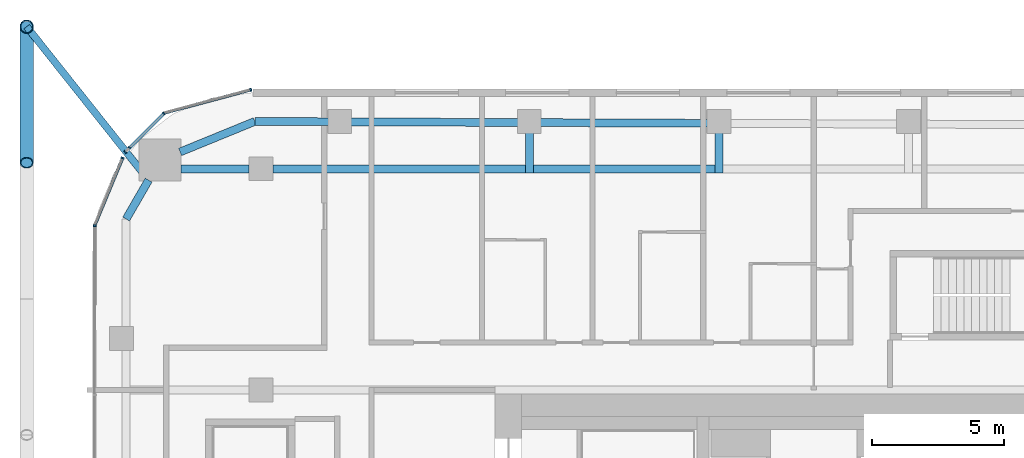
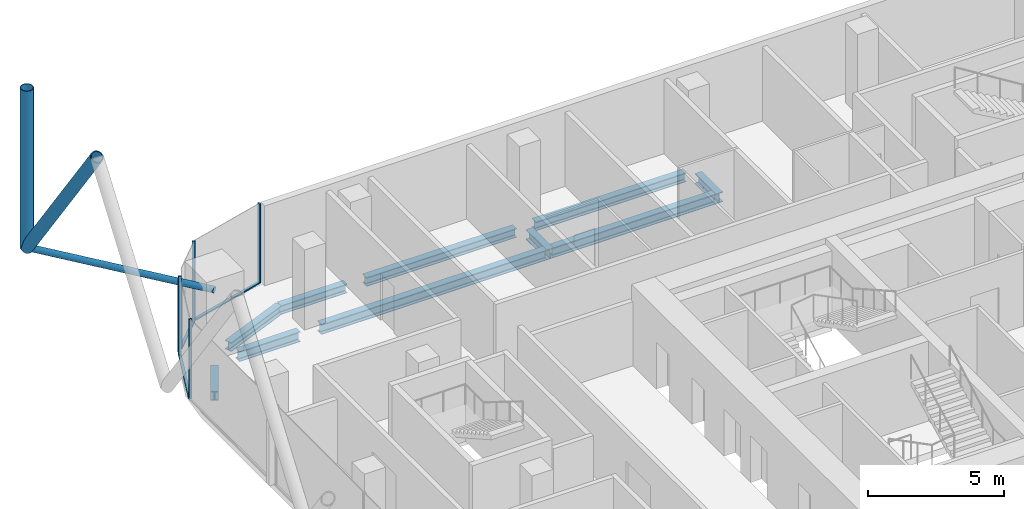
# One storey, part 11 of 33: 12 members, 10 beams, 5 elements without a shape of their own.
"""IFC4 building model written with IfcOpenShell, lengths in metres."""

from ifc_helpers import new_model, si_unit, direction, frame, origin, origin_2d, place, context, subcontext, project, spatial, rectangle, hollow_circle, i_section, extrude, material, layer, layer_set, material_profile, profile_set, type_object, element, aggregate, save


model = new_model("IFC4")

# Units and contexts
model_context = context("Model", 3, precision=1e-05, world=origin(), true_north=direction((0.0, 1.0)))
body_context = subcontext(model_context, "Body", "Model", "MODEL_VIEW")
ifc_project = project(units=[si_unit("LENGTHUNIT", "METRE"), si_unit("AREAUNIT", "SQUARE_METRE"), si_unit("VOLUMEUNIT", "CUBIC_METRE"), si_unit("PLANEANGLEUNIT", "RADIAN"), si_unit("MASSUNIT", "GRAM", prefix="KILO")], contexts=[model_context])

# Site, building, storey
site_placement = place(None, origin())
site = spatial("IfcSite", under=ifc_project, at=site_placement, CompositionType="ELEMENT")
building_placement = place(site_placement, origin())
building = spatial("IfcBuilding", under=site, at=building_placement, Name="Marenta Gate Hotel Tower", CompositionType="ELEMENT")
storey_placement = place(building_placement, frame((0.0, 0.0, 108.5)))
storey = spatial("IfcBuildingStorey", under=building, at=storey_placement, Name="L23", CompositionType="ELEMENT", Elevation=108.5)

# Members
ifc_material_1 = material(Name="Steel S355J2W", Category="steel")
ifc_material_profile_1 = material_profile(ifc_material_1, hollow_circle(Radius=0.25390625, WallThickness=0.02490234375, at=origin_2d()), Name="CHS 508x25")
ifc_profile_set_1 = profile_set([ifc_material_profile_1], Name="Steel S355J2W")
member_type_1 = type_object("IfcMemberType", Name="Diagrid corner post Z2 CHS 508x25", PredefinedType="POST", material=ifc_profile_set_1)
member_1_placement = place(storey_placement, frame((-29.89990234375, 30.60009765625, 3.139892578125), z_axis=(0.0, 0.0, 1.0), x_axis=(1.0, 0.0, 0.0)))
element("IfcMember", 1, at=member_1_placement, inside=storey, type_object=member_type_1, Name="L23-DR-6", PredefinedType="POST", context=body_context, shape_type="SweptSolid", body=[
    extrude(hollow_circle(Radius=0.25390625, WallThickness=0.02490234375, at=origin_2d()), origin(), (0.0, 0.0, 1.0), 7.2001953125),
])
ifc_material_2 = material(Name="Steel S355J2W", Category="steel")
ifc_material_profile_2 = material_profile(ifc_material_2, hollow_circle(Radius=0.25390625, WallThickness=0.0400390625, at=origin_2d()), Name="CHS 508x40")
ifc_profile_set_2 = profile_set([ifc_material_profile_2], Name="Steel S355J2W")
member_type_2 = type_object("IfcMemberType", Name="Diagrid diagonal Z2 CHS 508x40", PredefinedType="BRACE", material=ifc_profile_set_2)
member_2_placement = place(storey_placement, frame((-29.89990234375, 30.60009765625, 3.139892578125), z_axis=(0.0, -0.583265964901, 0.81228124082), x_axis=(1.0, 0.0, 0.0)))
element("IfcMember", 2, at=member_2_placement, inside=storey, type_object=member_type_2, Name="L23-DG-34", PredefinedType="BRACE", context=body_context, shape_type="SweptSolid", body=[
    extrude(hollow_circle(Radius=0.25390625, WallThickness=0.0400390625, at=origin_2d()), origin(), (0.0, 0.0, 1.0), 8.8642578125),
])

# Beams
ifc_material_3 = material(Name="Steel S355", Category="steel")
ifc_material_profile_3 = material_profile(ifc_material_3, i_section(OverallWidth=0.300048828125, OverallDepth=0.39990234375, WebThickness=0.013427734375, FlangeThickness=0.02392578125, FilletRadius=0.027099609375, at=origin_2d()), Name="HEB 400")
ifc_profile_set_3 = profile_set([ifc_material_profile_3], Name="Steel S355")
beam_type_1 = type_object("IfcBeamType", Name="Edge beam HEB 400", PredefinedType="SPANDREL", material=ifc_profile_set_3)
beam_1_placement = place(storey_placement, frame((-26.121337890625, 23.291748046875, -0.4599609375), z_axis=(0.500015459501, 0.866016478054, 0.0), x_axis=(-0.866016478054, 0.500015459501, 0.0)))
element("IfcBeam", 3, at=beam_1_placement, inside=storey, type_object=beam_type_1, Name="L23-EB-11", PredefinedType="SPANDREL", context=body_context, shape_type="SweptSolid", body=[
    extrude(i_section(OverallWidth=0.300048828125, OverallDepth=0.39990234375, WebThickness=0.013427734375, FlangeThickness=0.02392578125, FilletRadius=0.027099609375, at=origin_2d()), origin(), (0.0, 0.0, 1.0), 1.70703125),
])
beam_2_placement = place(storey_placement, frame((-24.072509765625, 25.839111328125, -0.4599609375), z_axis=(0.925565978946, 0.378586342356, 0.0), x_axis=(-0.378586342356, 0.925565978946, 0.0)))
element("IfcBeam", 4, at=beam_2_placement, inside=storey, type_object=beam_type_1, Name="L23-EB-12", PredefinedType="SPANDREL", context=body_context, shape_type="SweptSolid", body=[
    extrude(i_section(OverallWidth=0.300048828125, OverallDepth=0.39990234375, WebThickness=0.013427734375, FlangeThickness=0.02392578125, FilletRadius=0.027099609375, at=origin_2d()), origin(), (0.0, 0.0, 1.0), 3.06640625),
])
beam_3_placement = place(storey_placement, frame((-21.234375, 27.0, -0.4599609375), z_axis=(0.999991706293, -0.004072756516, 0.0), x_axis=(0.004072756516, 0.999991706293, 0.0)))
element("IfcBeam", 5, at=beam_3_placement, inside=storey, type_object=beam_type_1, Name="L23-EB-13", PredefinedType="SPANDREL", context=body_context, shape_type="SweptSolid", body=[
    extrude(i_section(OverallWidth=0.300048828125, OverallDepth=0.39990234375, WebThickness=0.013427734375, FlangeThickness=0.02392578125, FilletRadius=0.027099609375, at=origin_2d()), origin(), (0.0, 0.0, 1.0), 2.8173828125),
])
beam_4_placement = place(storey_placement, frame((-17.596923828125, 26.985107421875, -0.4599609375), z_axis=(0.999991780748, -0.00405443424, 0.0), x_axis=(0.00405443424, 0.999991780748, 0.0)))
element("IfcBeam", 6, at=beam_4_placement, inside=storey, type_object=beam_type_1, Name="L23-EB-14", PredefinedType="SPANDREL", context=body_context, shape_type="SweptSolid", body=[
    extrude(i_section(OverallWidth=0.300048828125, OverallDepth=0.39990234375, WebThickness=0.013427734375, FlangeThickness=0.02392578125, FilletRadius=0.027099609375, at=origin_2d()), origin(), (0.0, 0.0, 1.0), 6.3828125),
])
beam_5_placement = place(storey_placement, frame((-10.39404296875, 26.955810546875, -0.4599609375), z_axis=(0.999991624297, -0.004092839529, 0.0), x_axis=(0.004092839529, 0.999991624297, 0.0)))
element("IfcBeam", 7, at=beam_5_placement, inside=storey, type_object=beam_type_1, Name="L23-EB-15", PredefinedType="SPANDREL", context=body_context, shape_type="SweptSolid", body=[
    extrude(i_section(OverallWidth=0.300048828125, OverallDepth=0.39990234375, WebThickness=0.013427734375, FlangeThickness=0.02392578125, FilletRadius=0.027099609375, at=origin_2d()), origin(), (0.0, 0.0, 1.0), 6.382568359375),
])

# Member
ifc_material_4 = material(Name="Steel S355J2W", Category="steel")
ifc_material_profile_4 = material_profile(ifc_material_4, hollow_circle(Radius=0.136474609375, WallThickness=0.012451171875, at=origin_2d()), Name="CHS 273x12.5")
ifc_profile_set_4 = profile_set([ifc_material_profile_4], Name="Steel S355J2W")
member_type_3 = type_object("IfcMemberType", Name="Floor tie CHS 273x12.5", PredefinedType="STRUT", material=ifc_profile_set_4)
member_3_placement = place(storey_placement, frame((-29.89990234375, 30.60009765625, 3.139892578125), z_axis=(0.622094046149, -0.782942525187, 0.0), x_axis=(0.782942525187, 0.622094046149, 0.0)))
element("IfcMember", 8, at=member_3_placement, inside=storey, type_object=member_type_3, Name="L23-DR-12", PredefinedType="STRUT", context=body_context, shape_type="SweptSolid", body=[
    extrude(hollow_circle(Radius=0.136474609375, WallThickness=0.012451171875, at=origin_2d()), origin(), (0.0, 0.0, 1.0), 7.43896484375),
])

# Beams
ifc_material_5 = material(Name="Steel S355", Category="steel")
ifc_material_profile_5 = material_profile(ifc_material_5, i_section(OverallWidth=0.300048828125, OverallDepth=0.449951171875, WebThickness=0.013916015625, FlangeThickness=0.02587890625, FilletRadius=0.027099609375, at=origin_2d()), Name="HEB 450")
ifc_profile_set_5 = profile_set([ifc_material_profile_5], Name="Steel S355")
beam_type_2 = type_object("IfcBeamType", Name="Girder HEB 450", PredefinedType="BEAM", material=ifc_profile_set_5)
beam_6_placement = place(storey_placement, frame((-24.035400390625, 25.199951171875, -0.485107421875), z_axis=(1.0, 0.0, 0.0), x_axis=(0.0, 1.0, 0.0)))
element("IfcBeam", 9, at=beam_6_placement, inside=storey, type_object=beam_type_2, Name="L23-GD-29", PredefinedType="BEAM", context=body_context, shape_type="SweptSolid", body=[
    extrude(i_section(OverallWidth=0.300048828125, OverallDepth=0.449951171875, WebThickness=0.013916015625, FlangeThickness=0.02587890625, FilletRadius=0.027099609375, at=origin_2d()), origin(), (0.0, 0.0, 1.0), 2.58544921875),
])
beam_7_placement = place(storey_placement, frame((-20.550048828125, 25.199951171875, -0.485107421875), z_axis=(1.0, 0.0, 0.0), x_axis=(0.0, 1.0, 0.0)))
element("IfcBeam", 10, at=beam_7_placement, inside=storey, type_object=beam_type_2, Name="L23-GD-30", PredefinedType="BEAM", context=body_context, shape_type="SweptSolid", body=[
    extrude(i_section(OverallWidth=0.300048828125, OverallDepth=0.449951171875, WebThickness=0.013916015625, FlangeThickness=0.02587890625, FilletRadius=0.027099609375, at=origin_2d()), origin(), (0.0, 0.0, 1.0), 9.595947265625),
])
beam_8_placement = place(storey_placement, frame((-10.654052734375, 25.199951171875, -0.485107421875), z_axis=(1.0, 0.0, 0.0), x_axis=(0.0, 1.0, 0.0)))
element("IfcBeam", 11, at=beam_8_placement, inside=storey, type_object=beam_type_2, Name="L23-GD-31", PredefinedType="BEAM", context=body_context, shape_type="SweptSolid", body=[
    extrude(i_section(OverallWidth=0.300048828125, OverallDepth=0.449951171875, WebThickness=0.013916015625, FlangeThickness=0.02587890625, FilletRadius=0.027099609375, at=origin_2d()), origin(), (0.0, 0.0, 1.0), 6.902587890625),
])
ifc_material_6 = material(Name="Steel S355", Category="steel")
ifc_material_profile_6 = material_profile(ifc_material_6, i_section(OverallWidth=0.300048828125, OverallDepth=0.449951171875, WebThickness=0.013916015625, FlangeThickness=0.02587890625, FilletRadius=0.027099609375, at=origin_2d()), Name="HEB 450")
ifc_profile_set_6 = profile_set([ifc_material_profile_6], Name="Steel S355")
beam_type_3 = type_object("IfcBeamType", Name="Girder bracket HEB 450", PredefinedType="BEAM", material=ifc_profile_set_6)
for number, where, z_axis, x_axis, name in (
    (12, (-10.80419921875, 25.050048828125, -0.485107421875), (0.0, 1.0, 0.0), (-1.0, 0.0, 0.0), "L23-GS-1"),
    (13, (-3.601318359375, 25.050048828125, -0.485107421875), (0.0, 1.0, 0.0), (-1.0, 0.0, 0.0), "L23-GS-2"),
):
    element("IfcBeam", number, at=place(storey_placement, frame(where, z_axis=z_axis, x_axis=x_axis)), inside=storey, type_object=beam_type_3, Name=name, PredefinedType="BEAM", context=body_context, shape_type="SweptSolid", body=[
        extrude(i_section(OverallWidth=0.300048828125, OverallDepth=0.449951171875, WebThickness=0.013916015625, FlangeThickness=0.02587890625, FilletRadius=0.027099609375, at=origin_2d()), origin(), (0.0, 0.0, 1.0), 1.5400390625),
    ])

# Curtain wall, member
ifc_material_7 = material(Name="Tinted insulated glass in bronze anodised frame", Category="glass")
ifc_layer = layer(ifc_material_7, 0.1201171875)
ifc_layer_set = layer_set([ifc_layer], Name="Tinted insulated glass in bronze anodised frame")
curtain_wall_type = type_object("IfcCurtainWallType", Name="Tower unitised curtain wall CW1", PredefinedType="NOTDEFINED", material=ifc_layer_set)
curtain_wall_1_placement = place(storey_placement, origin())
curtain_wall_1 = element("IfcCurtainWall", 14, at=curtain_wall_1_placement, inside=storey, type_object=curtain_wall_type, Name="CW1 run G00", PredefinedType="NOTDEFINED")
ifc_material_8 = material(Name="Bronze anodised aluminium", Category="aluminium")
ifc_material_profile_7 = material_profile(ifc_material_8, rectangle(XDim=0.1201171875, YDim=0.06005859375, at=origin_2d()), Name="Mullion CW1 60x120 bronze anodised aluminium")
ifc_profile_set_7 = profile_set([ifc_material_profile_7], Name="Bronze anodised aluminium")
member_type_4 = type_object("IfcMemberType", Name="Mullion CW1 60x120 bronze anodised aluminium", PredefinedType="MULLION", material=ifc_profile_set_7)
member_4_placement = place(storey_placement, frame((-21.385498046875, 28.203125, 0.0), z_axis=(0.0, 0.0, 1.0), x_axis=(0.258801234873, -0.96593059835, 0.0)))
member_4 = element("IfcMember", 15, at=member_4_placement, type_object=member_type_4, Name="CW1 mullion 1", PredefinedType="MULLION", context=body_context, shape_type="SweptSolid", body=[
    extrude(rectangle(XDim=0.1201171875, YDim=0.06005859375, at=origin_2d()), origin(), (0.0, 0.0, 1.0), 3.60009765625),
])

curtain_wall_2_placement = place(storey_placement, origin())
curtain_wall_2 = element("IfcCurtainWall", 16, at=curtain_wall_2_placement, inside=storey, type_object=curtain_wall_type, Name="CW1 run G01", PredefinedType="NOTDEFINED")
member_5_placement = place(storey_placement, frame((-24.68798828125, 27.302978515625, 0.0), z_axis=(0.0, 0.0, 1.0), x_axis=(0.707106781187, -0.707106781187, 0.0)))
member_5 = element("IfcMember", 17, at=member_5_placement, type_object=member_type_4, Name="CW1 mullion 1", PredefinedType="MULLION", context=body_context, shape_type="SweptSolid", body=[
    extrude(rectangle(XDim=0.1201171875, YDim=0.06005859375, at=origin_2d()), origin(), (0.0, 0.0, 1.0), 3.60009765625),
])

# Curtain wall, members
curtain_wall_3_placement = place(storey_placement, origin())
curtain_wall_3 = element("IfcCurtainWall", 18, at=curtain_wall_3_placement, inside=storey, type_object=curtain_wall_type, Name="CW1 run G02", PredefinedType="NOTDEFINED")
member_6_placement = place(storey_placement, frame((-25.992431640625, 25.998291015625, 0.0), z_axis=(0.0, 0.0, 1.0), x_axis=(0.707106781187, -0.707106781187, 0.0)))
member_6 = element("IfcMember", 19, at=member_6_placement, type_object=member_type_4, Name="CW1 mullion 1", PredefinedType="MULLION", context=body_context, shape_type="SweptSolid", body=[
    extrude(rectangle(XDim=0.1201171875, YDim=0.06005859375, at=origin_2d()), origin(), (0.0, 0.0, 1.0), 3.00048828125),
])
member_7_placement = place(storey_placement, frame((-26.151123046875, 25.839599609375, 0.0), z_axis=(0.0, 0.0, 1.0), x_axis=(0.707106781187, -0.707106781187, 0.0)))
member_7 = element("IfcMember", 20, at=member_7_placement, type_object=member_type_4, Name="CW1 mullion 2", PredefinedType="MULLION", context=body_context, shape_type="SweptSolid", body=[
    extrude(rectangle(XDim=0.1201171875, YDim=0.06005859375, at=origin_2d()), origin(), (0.0, 0.0, 1.0), 3.00048828125),
])
aggregate(curtain_wall_3, [member_6, member_7])

# Curtain wall, member
curtain_wall_4_placement = place(storey_placement, origin())
curtain_wall_4 = element("IfcCurtainWall", 21, at=curtain_wall_4_placement, inside=storey, type_object=curtain_wall_type, Name="CW1 run G03", PredefinedType="NOTDEFINED")
member_8_placement = place(storey_placement, frame((-26.25830078125, 25.610595703125, 0.0), z_axis=(0.0, 0.0, 1.0), x_axis=(0.923879367898, -0.382683829775, 0.0)))
member_8 = element("IfcMember", 22, at=member_8_placement, type_object=member_type_4, Name="CW1 mullion 1", PredefinedType="MULLION", context=body_context, shape_type="SweptSolid", body=[
    extrude(rectangle(XDim=0.1201171875, YDim=0.06005859375, at=origin_2d()), origin(), (0.0, 0.0, 1.0), 3.60009765625),
])

curtain_wall_5_placement = place(storey_placement, origin())
curtain_wall_5 = element("IfcCurtainWall", 23, at=curtain_wall_5_placement, inside=storey, type_object=curtain_wall_type, Name="CW1 run G04", PredefinedType="NOTDEFINED")
member_9_placement = place(storey_placement, frame((-27.312255859375, 23.0361328125, 0.0), z_axis=(0.0, 0.0, 1.0), x_axis=(0.99999877375, -0.001566045546, 0.0)))
member_9 = element("IfcMember", 24, at=member_9_placement, type_object=member_type_4, Name="CW1 mullion 1", PredefinedType="MULLION", context=body_context, shape_type="SweptSolid", body=[
    extrude(rectangle(XDim=0.1201171875, YDim=0.06005859375, at=origin_2d()), origin(), (0.0, 0.0, 1.0), 3.60009765625),
])
aggregate(curtain_wall_5, [member_9])

# Member
ifc_material_9 = material(Name="Bronze anodised aluminium", Category="aluminium")
ifc_material_profile_8 = material_profile(ifc_material_9, rectangle(XDim=0.1201171875, YDim=0.06005859375, at=origin_2d()), Name="Transom CW1 60x120 bronze anodised aluminium")
ifc_profile_set_8 = profile_set([ifc_material_profile_8], Name="Bronze anodised aluminium")
member_type_5 = type_object("IfcMemberType", Name="Transom CW1 60x120 bronze anodised aluminium", PredefinedType="USERDEFINED", material=ifc_profile_set_8)
member_10_placement = place(storey_placement, frame((-21.41455078125, 28.195556640625, 0.030029296875), z_axis=(-0.965932192411, -0.258795285243, 0.0), x_axis=(0.258795285243, -0.965932192411, 0.0)))
member_10 = element("IfcMember", 25, at=member_10_placement, type_object=member_type_5, Name="CW1 transom 1.1", ObjectType="TRANSOM", PredefinedType="USERDEFINED", context=body_context, shape_type="SweptSolid", body=[
    extrude(rectangle(XDim=0.1201171875, YDim=0.06005859375, at=origin_2d()), origin(), (0.0, 0.0, 1.0), 3.366943359375),
])

aggregate(curtain_wall_1, [member_4, member_10])

member_11_placement = place(storey_placement, frame((-24.709228515625, 27.28173828125, 0.030029296875), z_axis=(-0.707038385696, -0.707175170062, 0.0), x_axis=(0.707175170062, -0.707038385696, 0.0)))
member_11 = element("IfcMember", 26, at=member_11_placement, type_object=member_type_5, Name="CW1 transom 1.1", ObjectType="TRANSOM", PredefinedType="USERDEFINED", context=body_context, shape_type="SweptSolid", body=[
    extrude(rectangle(XDim=0.1201171875, YDim=0.06005859375, at=origin_2d()), origin(), (0.0, 0.0, 1.0), 1.784912109375),
])

aggregate(curtain_wall_2, [member_5, member_11])

member_12_placement = place(storey_placement, frame((-26.269775390625, 25.582763671875, 0.030029296875), z_axis=(-0.382705357384, -0.923870450566, 0.0), x_axis=(0.923870450566, -0.382705357384, 0.0)))
member_12 = element("IfcMember", 27, at=member_12_placement, type_object=member_type_5, Name="CW1 transom 1.1", ObjectType="TRANSOM", PredefinedType="USERDEFINED", context=body_context, shape_type="SweptSolid", body=[
    extrude(rectangle(XDim=0.1201171875, YDim=0.06005859375, at=origin_2d()), origin(), (0.0, 0.0, 1.0), 2.723876953125),
])

aggregate(curtain_wall_4, [member_8, member_12])

save(model, "model.ifc")
